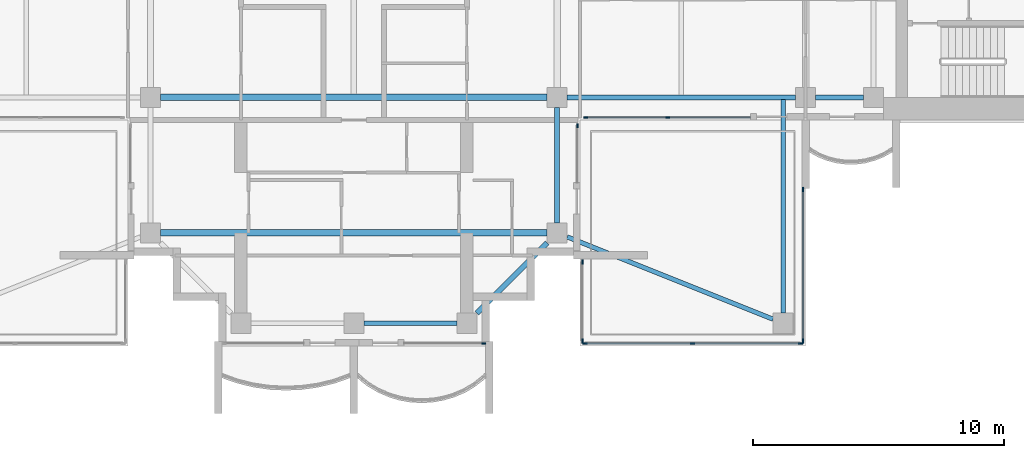
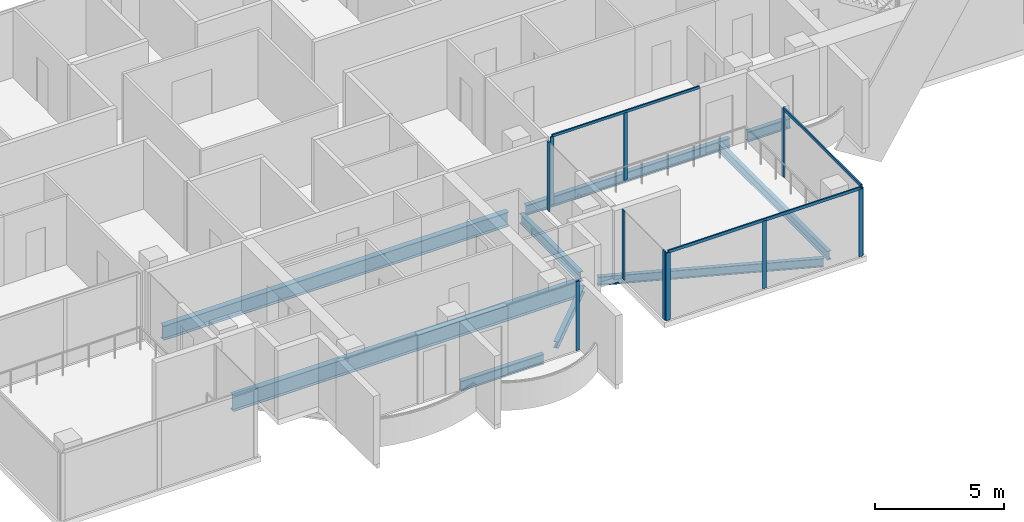
# One storey, part 3 of 16: 14 members, 9 beams, 6 elements without a shape of their own.
"""IFC4 building model written with IfcOpenShell, lengths in metres."""

from ifc_helpers import new_model, si_unit, direction, frame, origin, origin_2d, place, context, subcontext, project, spatial, rectangle, i_section, extrude, material, material_profile, profile_set, type_object, element, aggregate, save


model = new_model("IFC4")

# Units and contexts
model_context = context("Model", 3, precision=1e-05, world=origin(), true_north=direction((0.0, 1.0)))
body_context = subcontext(model_context, "Body", "Model", "MODEL_VIEW")
ifc_project = project(units=[si_unit("LENGTHUNIT", "METRE"), si_unit("AREAUNIT", "SQUARE_METRE"), si_unit("VOLUMEUNIT", "CUBIC_METRE"), si_unit("PLANEANGLEUNIT", "RADIAN"), si_unit("MASSUNIT", "GRAM", prefix="KILO")], contexts=[model_context])

# Site, building, storey
site_placement = place(None, origin())
site = spatial("IfcSite", under=ifc_project, at=site_placement, CompositionType="ELEMENT")
building_placement = place(site_placement, origin())
building = spatial("IfcBuilding", under=site, at=building_placement, Name="Perihelion Cross Residences", CompositionType="ELEMENT")
storey_placement = place(building_placement, frame((0.0, 0.0, 271.0)))
storey = spatial("IfcBuildingStorey", under=building, at=storey_placement, Name="L69", CompositionType="ELEMENT", Elevation=271.0)

# Curtain wall, member
ifc_material_1 = material(Name="Bronze anodised aluminium, tinted glazing", Category="aluminium")
curtain_wall_type_1 = type_object("IfcCurtainWallType", Name="CW1", PredefinedType="NOTDEFINED", material=ifc_material_1)
curtain_wall_1_placement = place(storey_placement, origin())
curtain_wall_1 = element("IfcCurtainWall", 1, at=curtain_wall_1_placement, inside=storey, type_object=curtain_wall_type_1, Name="Curtain wall CW1 L69 south tip south bay 2", PredefinedType="NOTDEFINED")
ifc_material_2 = material(Name="Bronze anodised aluminium", Category="aluminium")
ifc_material_profile_1 = material_profile(ifc_material_2, rectangle(XDim=0.06005859375, YDim=0.159912109375, at=origin_2d()), Name="CW1 mullion")
ifc_profile_set_1 = profile_set([ifc_material_profile_1], Name="Bronze anodised aluminium")
member_type_1 = type_object("IfcMemberType", Name="CW1 mullion", PredefinedType="MULLION", material=ifc_profile_set_1)
member_1_placement = place(storey_placement, frame((5.169921875, -17.89990234375, 0.0), z_axis=(0.0, 0.0, 1.0), x_axis=(0.0, 1.0, 0.0)))
member_1 = element("IfcMember", 2, at=member_1_placement, type_object=member_type_1, Name="CW1 mullion 2", PredefinedType="MULLION", context=body_context, shape_type="SweptSolid", body=[
    extrude(rectangle(XDim=0.06005859375, YDim=0.159912109375, at=origin_2d()), origin(), (0.0, 0.0, 1.0), 3.25),
])
aggregate(curtain_wall_1, [member_1])

curtain_wall_2_placement = place(storey_placement, origin())
curtain_wall_2 = element("IfcCurtainWall", 3, at=curtain_wall_2_placement, inside=storey, type_object=curtain_wall_type_1, Name="Curtain wall CW1 L69 south side east bay 1", PredefinedType="NOTDEFINED")
member_2_placement = place(storey_placement, frame((8.89990234375, -9.22998046875, 0.0), z_axis=(0.0, 0.0, 1.0), x_axis=(-1.0, 0.0, 0.0)))
member_2 = element("IfcMember", 4, at=member_2_placement, type_object=member_type_1, Name="CW1 mullion 2", PredefinedType="MULLION", context=body_context, shape_type="SweptSolid", body=[
    extrude(rectangle(XDim=0.06005859375, YDim=0.159912109375, at=origin_2d()), origin(), (0.0, 0.0, 1.0), 3.25),
])
aggregate(curtain_wall_2, [member_2])

# Curtain wall, members
curtain_wall_3_placement = place(storey_placement, origin())
curtain_wall_3 = element("IfcCurtainWall", 5, at=curtain_wall_3_placement, inside=storey, type_object=curtain_wall_type_1, Name="Curtain wall CW1 L69 east side south bay 1", PredefinedType="NOTDEFINED")
member_3_placement = place(storey_placement, frame((9.22998046875, -8.89990234375, 0.0), z_axis=(0.0, 0.0, 1.0), x_axis=(0.0, 1.0, 0.0)))
member_3 = element("IfcMember", 6, at=member_3_placement, type_object=member_type_1, Name="CW1 mullion 1", PredefinedType="MULLION", context=body_context, shape_type="SweptSolid", body=[
    extrude(rectangle(XDim=0.06005859375, YDim=0.159912109375, at=origin_2d()), origin(), (0.0, 0.0, 1.0), 3.18994140625),
])
member_4_placement = place(storey_placement, frame((12.5, -8.89990234375, 0.0), z_axis=(0.0, 0.0, 1.0), x_axis=(0.0, 1.0, 0.0)))
member_4 = element("IfcMember", 7, at=member_4_placement, type_object=member_type_1, Name="CW1 mullion 2", PredefinedType="MULLION", context=body_context, shape_type="SweptSolid", body=[
    extrude(rectangle(XDim=0.06005859375, YDim=0.159912109375, at=origin_2d()), origin(), (0.0, 0.0, 1.0), 3.18994140625),
])
ifc_material_3 = material(Name="Bronze anodised aluminium", Category="aluminium")
ifc_material_profile_2 = material_profile(ifc_material_3, rectangle(XDim=0.06005859375, YDim=0.1201171875, at=origin_2d()), Name="CW1 transom")
ifc_profile_set_2 = profile_set([ifc_material_profile_2], Name="Bronze anodised aluminium")
member_type_2 = type_object("IfcMemberType", Name="CW1 transom", PredefinedType="USERDEFINED", material=ifc_profile_set_2)
member_5_placement = place(storey_placement, frame((9.22998046875, -8.89990234375, 3.219970703125), z_axis=(1.0, 0.0, 0.0), x_axis=(0.0, 1.0, 0.0)))
member_5 = element("IfcMember", 8, at=member_5_placement, type_object=member_type_2, Name="CW1 head transom", ObjectType="TRANSOM", PredefinedType="USERDEFINED", context=body_context, shape_type="SweptSolid", body=[
    extrude(rectangle(XDim=0.06005859375, YDim=0.1201171875, at=origin_2d()), origin(), (0.0, 0.0, 1.0), 6.570068359375),
])
aggregate(curtain_wall_3, [member_3, member_4, member_5])

ifc_material_4 = material(Name="Bronze anodised aluminium, tinted glazing", Category="aluminium")
curtain_wall_type_2 = type_object("IfcCurtainWallType", Name="CW4", PredefinedType="NOTDEFINED", material=ifc_material_4)
curtain_wall_4_placement = place(storey_placement, origin())
curtain_wall_4 = element("IfcCurtainWall", 9, at=curtain_wall_4_placement, inside=storey, type_object=curtain_wall_type_2, Name="Curtain wall CW4 L69 pocket south-east 1 1", PredefinedType="NOTDEFINED")
ifc_material_5 = material(Name="Bronze anodised aluminium", Category="aluminium")
ifc_material_profile_3 = material_profile(ifc_material_5, rectangle(XDim=0.06005859375, YDim=0.179931640625, at=origin_2d()), Name="CW4 mullion")
ifc_profile_set_3 = profile_set([ifc_material_profile_3], Name="Bronze anodised aluminium")
member_type_3 = type_object("IfcMemberType", Name="CW4 mullion", PredefinedType="MULLION", material=ifc_profile_set_3)
member_6_placement = place(storey_placement, frame((17.89990234375, -11.77001953125, 0.0), z_axis=(0.0, 0.0, 1.0), x_axis=(1.0, 0.0, 0.0)))
member_6 = element("IfcMember", 10, at=member_6_placement, type_object=member_type_3, Name="CW4 mullion 1", PredefinedType="MULLION", context=body_context, shape_type="SweptSolid", body=[
    extrude(rectangle(XDim=0.06005859375, YDim=0.179931640625, at=origin_2d()), origin(), (0.0, 0.0, 1.0), 3.18994140625),
])
member_7_placement = place(storey_placement, frame((17.89990234375, -17.800048828125, 0.0), z_axis=(0.0, 0.0, 1.0), x_axis=(1.0, 0.0, 0.0)))
member_7 = element("IfcMember", 11, at=member_7_placement, type_object=member_type_3, Name="CW4 mullion 2", PredefinedType="MULLION", context=body_context, shape_type="SweptSolid", body=[
    extrude(rectangle(XDim=0.06005859375, YDim=0.179931640625, at=origin_2d()), origin(), (0.0, 0.0, 1.0), 3.18994140625),
])

curtain_wall_5_placement = place(storey_placement, origin())
curtain_wall_5 = element("IfcCurtainWall", 12, at=curtain_wall_5_placement, inside=storey, type_object=curtain_wall_type_2, Name="Curtain wall CW4 L69 pocket south-east 1 2", PredefinedType="NOTDEFINED")
member_8_placement = place(storey_placement, frame((17.800048828125, -17.89990234375, 0.0), z_axis=(0.0, 0.0, 1.0), x_axis=(0.0, -1.0, 0.0)))
member_8 = element("IfcMember", 13, at=member_8_placement, type_object=member_type_3, Name="CW4 mullion 1", PredefinedType="MULLION", context=body_context, shape_type="SweptSolid", body=[
    extrude(rectangle(XDim=0.06005859375, YDim=0.179931640625, at=origin_2d()), origin(), (0.0, 0.0, 1.0), 3.18994140625),
])
member_9_placement = place(storey_placement, frame((13.5, -17.89990234375, 0.0), z_axis=(0.0, 0.0, 1.0), x_axis=(0.0, -1.0, 0.0)))
member_9 = element("IfcMember", 14, at=member_9_placement, type_object=member_type_3, Name="CW4 mullion 2", PredefinedType="MULLION", context=body_context, shape_type="SweptSolid", body=[
    extrude(rectangle(XDim=0.06005859375, YDim=0.179931640625, at=origin_2d()), origin(), (0.0, 0.0, 1.0), 3.18994140625),
])
member_10_placement = place(storey_placement, frame((9.199951171875, -17.89990234375, 0.0), z_axis=(0.0, 0.0, 1.0), x_axis=(0.0, -1.0, 0.0)))
member_10 = element("IfcMember", 15, at=member_10_placement, type_object=member_type_3, Name="CW4 mullion 3", PredefinedType="MULLION", context=body_context, shape_type="SweptSolid", body=[
    extrude(rectangle(XDim=0.06005859375, YDim=0.179931640625, at=origin_2d()), origin(), (0.0, 0.0, 1.0), 3.18994140625),
])

curtain_wall_6_placement = place(storey_placement, origin())
curtain_wall_6 = element("IfcCurtainWall", 16, at=curtain_wall_6_placement, inside=storey, type_object=curtain_wall_type_2, Name="Curtain wall CW4 L69 pocket south-east 1 3", PredefinedType="NOTDEFINED")
member_11_placement = place(storey_placement, frame((9.10009765625, -17.800048828125, 0.0), z_axis=(0.0, 0.0, 1.0), x_axis=(-1.0, 0.0, 0.0)))
member_11 = element("IfcMember", 17, at=member_11_placement, type_object=member_type_3, Name="CW4 mullion 1", PredefinedType="MULLION", context=body_context, shape_type="SweptSolid", body=[
    extrude(rectangle(XDim=0.06005859375, YDim=0.179931640625, at=origin_2d()), origin(), (0.0, 0.0, 1.0), 3.25),
])
member_12_placement = place(storey_placement, frame((9.10009765625, -14.658935546875, 0.0), z_axis=(0.0, 0.0, 1.0), x_axis=(-1.0, 0.0, 0.0)))
member_12 = element("IfcMember", 18, at=member_12_placement, type_object=member_type_3, Name="CW4 mullion 2", PredefinedType="MULLION", context=body_context, shape_type="SweptSolid", body=[
    extrude(rectangle(XDim=0.06005859375, YDim=0.179931640625, at=origin_2d()), origin(), (0.0, 0.0, 1.0), 3.25),
])
aggregate(curtain_wall_6, [member_11, member_12])

# Member
ifc_material_6 = material(Name="Bronze anodised aluminium", Category="aluminium")
ifc_material_profile_4 = material_profile(ifc_material_6, rectangle(XDim=0.06005859375, YDim=0.139892578125, at=origin_2d()), Name="CW4 transom")
ifc_profile_set_4 = profile_set([ifc_material_profile_4], Name="Bronze anodised aluminium")
member_type_4 = type_object("IfcMemberType", Name="CW4 transom", PredefinedType="USERDEFINED", material=ifc_profile_set_4)
member_13_placement = place(storey_placement, frame((17.89990234375, -11.77001953125, 3.219970703125), z_axis=(0.0, -1.0, 0.0), x_axis=(1.0, 0.0, 0.0)))
member_13 = element("IfcMember", 19, at=member_13_placement, type_object=member_type_4, Name="CW4 head transom", ObjectType="TRANSOM", PredefinedType="USERDEFINED", context=body_context, shape_type="SweptSolid", body=[
    extrude(rectangle(XDim=0.06005859375, YDim=0.139892578125, at=origin_2d()), origin(), (0.0, 0.0, 1.0), 6.030029296875),
])

aggregate(curtain_wall_4, [member_6, member_7, member_13])

member_14_placement = place(storey_placement, frame((17.800048828125, -17.89990234375, 3.219970703125), z_axis=(-1.0, 0.0, 0.0), x_axis=(0.0, -1.0, 0.0)))
member_14 = element("IfcMember", 20, at=member_14_placement, type_object=member_type_4, Name="CW4 head transom", ObjectType="TRANSOM", PredefinedType="USERDEFINED", context=body_context, shape_type="SweptSolid", body=[
    extrude(rectangle(XDim=0.06005859375, YDim=0.139892578125, at=origin_2d()), origin(), (0.0, 0.0, 1.0), 8.60009765625),
])

aggregate(curtain_wall_5, [member_8, member_9, member_10, member_14])

# Beams
ifc_material_7 = material(Name="Steel S355", Category="steel")
ifc_material_profile_5 = material_profile(ifc_material_7, i_section(OverallWidth=0.177978515625, OverallDepth=0.406005859375, WebThickness=0.0078125, FlangeThickness=0.0126953125, at=origin_2d()), Name="W410x60")
ifc_profile_set_5 = profile_set([ifc_material_profile_5], Name="Steel S355")
beam_type_1 = type_object("IfcBeamType", Name="Core edge beam W410x60", PredefinedType="BEAM", material=ifc_profile_set_5)
beam_1_placement = place(storey_placement, frame((17.10009765625, -8.197021484375, -0.452880859375), z_axis=(0.0, -1.0, 0.0), x_axis=(1.0, 0.0, 0.0)))
element("IfcBeam", 21, at=beam_1_placement, inside=storey, type_object=beam_type_1, Name="Core edge beam TB2 L69 corner no. 3", PredefinedType="BEAM", context=body_context, shape_type="SweptSolid", body=[
    extrude(i_section(OverallWidth=0.177978515625, OverallDepth=0.406005859375, WebThickness=0.0078125, FlangeThickness=0.0126953125, at=origin_2d()), origin(), (0.0, 0.0, 1.0), 8.5029296875),
])
beam_2_placement = place(storey_placement, frame((8.5, -13.659912109375, -0.452880859375), z_axis=(0.928474784399, -0.371395442534, 0.0), x_axis=(0.371395442534, 0.928474784399, 0.0)))
element("IfcBeam", 22, at=beam_2_placement, inside=storey, type_object=beam_type_1, Name="Core edge beam TB2 L69 corner no. 4", PredefinedType="BEAM", context=body_context, shape_type="SweptSolid", body=[
    extrude(i_section(OverallWidth=0.177978515625, OverallDepth=0.406005859375, WebThickness=0.0078125, FlangeThickness=0.0126953125, at=origin_2d()), origin(), (0.0, 0.0, 1.0), 8.83154296875),
])
ifc_material_8 = material(Name="Steel S355", Category="steel")
ifc_material_profile_6 = material_profile(ifc_material_8, i_section(OverallWidth=0.194091796875, OverallDepth=0.469970703125, WebThickness=0.0126953125, FlangeThickness=0.0205078125, at=origin_2d()), Name="W460x106")
ifc_profile_set_6 = profile_set([ifc_material_profile_6], Name="Steel S355")
beam_type_2 = type_object("IfcBeamType", Name="Edge beam W460x106", PredefinedType="SPANDREL", material=ifc_profile_set_6)
beam_3_placement = place(storey_placement, frame((0.39990234375, -17.10009765625, -0.485107421875), z_axis=(1.0, 0.0, 0.0), x_axis=(0.0, 1.0, 0.0)))
element("IfcBeam", 23, at=beam_3_placement, inside=storey, type_object=beam_type_2, Name="Edge beam SB5 L69 no. 7", PredefinedType="SPANDREL", context=body_context, shape_type="SweptSolid", body=[
    extrude(i_section(OverallWidth=0.194091796875, OverallDepth=0.469970703125, WebThickness=0.0126953125, FlangeThickness=0.0205078125, at=origin_2d()), origin(), (0.0, 0.0, 1.0), 3.7001953125),
])
beam_4_placement = place(storey_placement, frame((8.10009765625, -13.10009765625, -0.485107421875), z_axis=(0.0, 1.0, 0.0), x_axis=(-1.0, 0.0, 0.0)))
element("IfcBeam", 24, at=beam_4_placement, inside=storey, type_object=beam_type_2, Name="Edge beam SB5 L69 no. 11", PredefinedType="SPANDREL", context=body_context, shape_type="SweptSolid", body=[
    extrude(i_section(OverallWidth=0.194091796875, OverallDepth=0.469970703125, WebThickness=0.0126953125, FlangeThickness=0.0205078125, at=origin_2d()), origin(), (0.0, 0.0, 1.0), 4.60009765625),
])
beam_5_placement = place(storey_placement, frame((8.5, -8.10009765625, -0.485107421875), z_axis=(1.0, 0.0, 0.0), x_axis=(0.0, 1.0, 0.0)))
element("IfcBeam", 25, at=beam_5_placement, inside=storey, type_object=beam_type_2, Name="Edge beam SB5 L69 no. 12", PredefinedType="SPANDREL", context=body_context, shape_type="SweptSolid", body=[
    extrude(i_section(OverallWidth=0.194091796875, OverallDepth=0.469970703125, WebThickness=0.0126953125, FlangeThickness=0.0205078125, at=origin_2d()), origin(), (0.0, 0.0, 1.0), 9.10009765625),
])
beam_6_placement = place(storey_placement, frame((18.39990234375, -8.10009765625, -0.485107421875), z_axis=(1.0, 0.0, 0.0), x_axis=(0.0, 1.0, 0.0)))
element("IfcBeam", 26, at=beam_6_placement, inside=storey, type_object=beam_type_2, Name="Edge beam SB5 L69 no. 8", PredefinedType="SPANDREL", context=body_context, shape_type="SweptSolid", body=[
    extrude(i_section(OverallWidth=0.194091796875, OverallDepth=0.469970703125, WebThickness=0.0126953125, FlangeThickness=0.0205078125, at=origin_2d()), origin(), (0.0, 0.0, 1.0), 1.900146484375),
])
ifc_material_9 = material(Name="Steel S355", Category="steel")
ifc_material_profile_7 = material_profile(ifc_material_9, i_section(OverallWidth=0.26708984375, OverallDepth=0.75390625, WebThickness=0.01318359375, FlangeThickness=0.01708984375, at=origin_2d()), Name="W760x147")
ifc_profile_set_7 = profile_set([ifc_material_profile_7], Name="Steel S355")
beam_type_3 = type_object("IfcBeamType", Name="Floor girder W760x147", PredefinedType="BEAM", material=ifc_profile_set_7)
beam_7_placement = place(storey_placement, frame((-7.699951171875, -13.5, -0.626953125), z_axis=(1.0, 0.0, 0.0), x_axis=(0.0, 1.0, 0.0)))
element("IfcBeam", 27, at=beam_7_placement, inside=storey, type_object=beam_type_3, Name="Girder G5 L69 no. 3", PredefinedType="BEAM", context=body_context, shape_type="SweptSolid", body=[
    extrude(i_section(OverallWidth=0.26708984375, OverallDepth=0.75390625, WebThickness=0.01318359375, FlangeThickness=0.01708984375, at=origin_2d()), origin(), (0.0, 0.0, 1.0), 15.39990234375),
])
ifc_material_10 = material(Name="Steel S355", Category="steel")
ifc_material_profile_8 = material_profile(ifc_material_10, i_section(OverallWidth=0.25390625, OverallDepth=0.677978515625, WebThickness=0.01171875, FlangeThickness=0.016357421875, at=origin_2d()), Name="W690x125")
ifc_profile_set_8 = profile_set([ifc_material_profile_8], Name="Steel S355")
beam_type_4 = type_object("IfcBeamType", Name="Hub ring girder W690x125", PredefinedType="BEAM", material=ifc_profile_set_8)
beam_8_placement = place(storey_placement, frame((-7.699951171875, -8.10009765625, -0.589111328125), z_axis=(1.0, 0.0, 0.0), x_axis=(0.0, 1.0, 0.0)))
element("IfcBeam", 28, at=beam_8_placement, inside=storey, type_object=beam_type_4, Name="Hub ring girder RG5 L69 no. 1", PredefinedType="BEAM", context=body_context, shape_type="SweptSolid", body=[
    extrude(i_section(OverallWidth=0.25390625, OverallDepth=0.677978515625, WebThickness=0.01171875, FlangeThickness=0.016357421875, at=origin_2d()), origin(), (0.0, 0.0, 1.0), 15.39990234375),
])
ifc_material_11 = material(Name="Steel S355", Category="steel")
ifc_material_profile_9 = material_profile(ifc_material_11, i_section(OverallWidth=0.202880859375, OverallDepth=0.302001953125, WebThickness=0.007568359375, FlangeThickness=0.01318359375, at=origin_2d()), Name="W310x60")
ifc_profile_set_9 = profile_set([ifc_material_profile_9], Name="Steel S355")
beam_type_5 = type_object("IfcBeamType", Name="Serration edge beam W310x60", PredefinedType="BEAM", material=ifc_profile_set_9)
beam_9_placement = place(storey_placement, frame((4.89990234375, -16.699951171875, -0.40087890625), z_axis=(0.707106781187, 0.707106781187, 0.0), x_axis=(-0.707106781187, 0.707106781187, 0.0)))
element("IfcBeam", 29, at=beam_9_placement, inside=storey, type_object=beam_type_5, Name="Serration edge beam EB5 L69 no. 2", PredefinedType="BEAM", context=body_context, shape_type="SweptSolid", body=[
    extrude(i_section(OverallWidth=0.202880859375, OverallDepth=0.302001953125, WebThickness=0.007568359375, FlangeThickness=0.01318359375, at=origin_2d()), origin(), (0.0, 0.0, 1.0), 3.9599609375),
])

save(model, "model.ifc")
